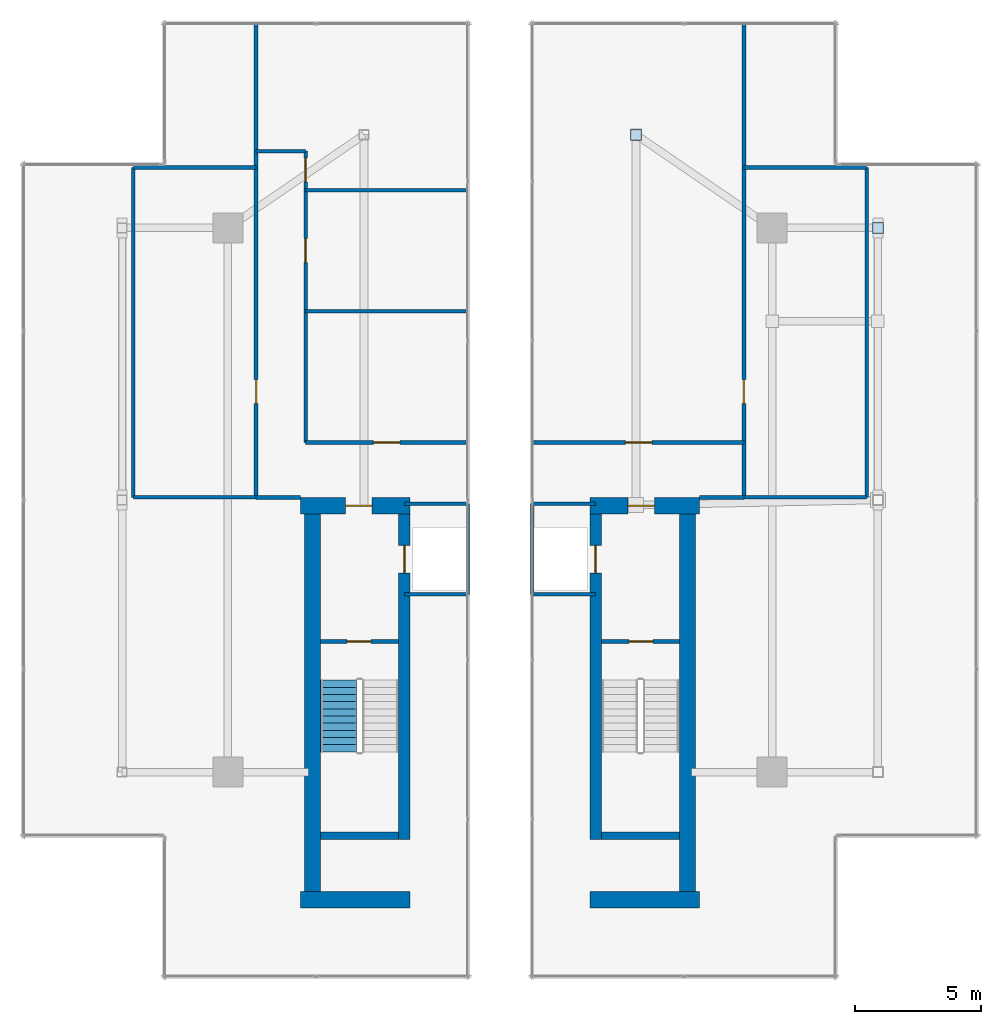
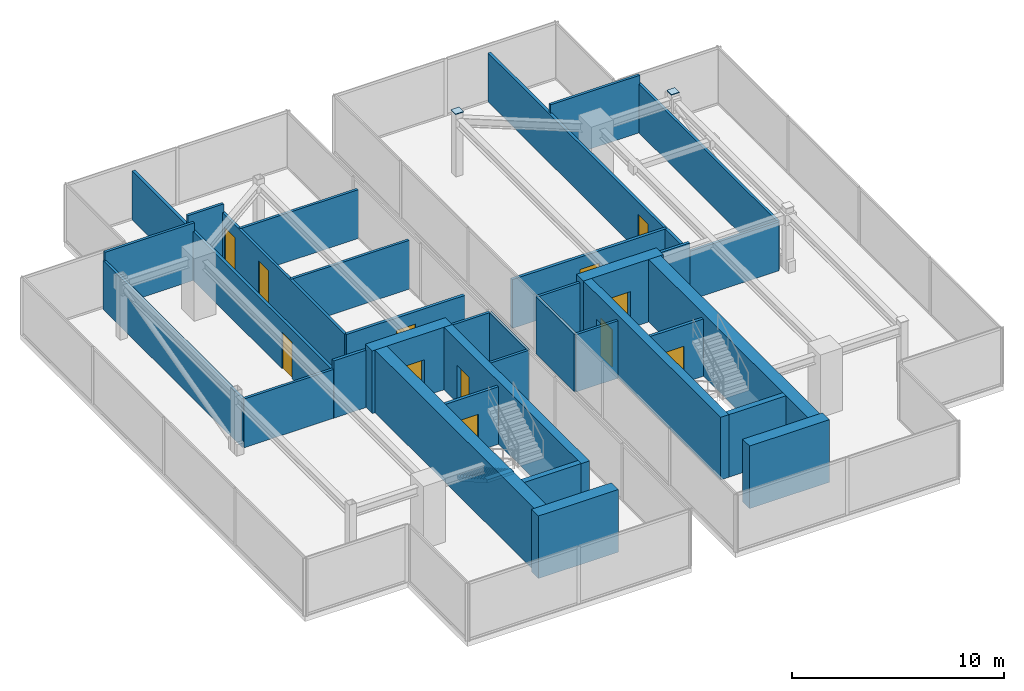
# One storey, part 23 of 25: 34 walls, 12 doors, 2 plates, 1 stair flight, 12 openings, 1 element without a shape of its own.
"""IFC4 building model written with IfcOpenShell, lengths in metres."""

from ifc_helpers import new_model, si_unit, direction, frame, frame_2d, origin, place, context, subcontext, project, spatial, polyline, rectangle, outline, extrude, material, layer, layer_set, type_object, element, fill, aggregate, save


model = new_model("IFC4")

# Units and contexts
model_context = context("Model", 3, precision=1e-05, world=origin(), true_north=direction((0.0, 1.0)))
body_context = subcontext(model_context, "Body", "Model", "MODEL_VIEW")
ifc_project = project(units=[si_unit("LENGTHUNIT", "METRE"), si_unit("AREAUNIT", "SQUARE_METRE"), si_unit("VOLUMEUNIT", "CUBIC_METRE"), si_unit("PLANEANGLEUNIT", "RADIAN"), si_unit("MASSUNIT", "GRAM", prefix="KILO")], contexts=[model_context])

# Site, building, storey
site_placement = place(None, origin())
site = spatial("IfcSite", under=ifc_project, at=site_placement, CompositionType="ELEMENT")
building_placement = place(site_placement, origin())
building = spatial("IfcBuilding", under=site, at=building_placement, Name="Krantzveldt Concourse Tower", CompositionType="ELEMENT")
storey_placement = place(building_placement, frame((0.0, 0.0, 374.64990234375)))
storey = spatial("IfcBuildingStorey", under=building, at=storey_placement, Name="L92", CompositionType="ELEMENT", Elevation=374.64990234375)

# Plates
ifc_material_1 = material(Name="Steel S355J2", Category="steel")
ifc_layer_1 = layer(ifc_material_1, 0.0400390625, Name="Steel S355J2", Category="steel")
ifc_layer_set_1 = layer_set([ifc_layer_1], Name="Steel S355J2 (PL-COLCAP-40)")
plate_type = type_object("IfcPlateType", Name="PL-COLCAP-40", PredefinedType="USERDEFINED", material=ifc_layer_set_1)
plate_1_placement = place(storey_placement, frame((0.0, 0.0, 3.59521484375)))
element("IfcPlate", 1, at=plate_1_placement, inside=storey, type_object=plate_type, Name="L92 Column Top Cap Plate E3", ObjectType="END PLATE", PredefinedType="USERDEFINED", context=body_context, shape_type="SweptSolid", body=[
    extrude(outline(polyline([(50.780029296875, 37.280029296875), (51.219970703125, 37.280029296875), (51.219970703125, 37.719970703125), (50.780029296875, 37.719970703125), (50.780029296875, 37.280029296875)])), origin(), (0.0, 0.0, 1.0), 0.039794921875),
])
plate_2_placement = place(storey_placement, frame((0.0, 0.0, 3.59521484375)))
element("IfcPlate", 2, at=plate_2_placement, inside=storey, type_object=plate_type, Name="L92 Column Top Cap Plate E4", ObjectType="END PLATE", PredefinedType="USERDEFINED", context=body_context, shape_type="SweptSolid", body=[
    extrude(outline(polyline([(41.179931640625, 40.97998046875), (41.6201171875, 40.97998046875), (41.6201171875, 41.419921875), (41.179931640625, 41.419921875), (41.179931640625, 40.97998046875)])), origin(), (0.0, 0.0, 1.0), 0.039794921875),
])

# Walls
ifc_material_2 = material(Name="Fire-rated gypsum plasterboard on steel stud", Category="steel")
ifc_layer_2 = layer(ifc_material_2, 0.139892578125, Name="Fire-rated gypsum plasterboard on steel stud", Category="steel")
ifc_layer_set_2 = layer_set([ifc_layer_2], Name="Fire-rated gypsum plasterboard on steel stud (WL-PART-FR140)")
wall_type_1 = type_object("IfcWallType", Name="WL-PART-FR140", PredefinedType="PARTITIONING", material=ifc_layer_set_2)
wall_1_placement = place(storey_placement, frame((34.719970703125, 22.949951171875, 0.0), z_axis=(0.0, 0.0, 1.0), x_axis=(0.0, 1.0, 0.0)))
element("IfcWall", 3, at=wall_1_placement, inside=storey, type_object=wall_type_1, Name="WP-L92-FL1E", PredefinedType="PARTITIONING", context=body_context, shape_type="SweptSolid", body=[
    extrude(rectangle(XDim=3.60009765625, YDim=0.139892578125, at=frame_2d((1.800048828125, 0.0))), origin(), (0.0, 0.0, 1.0), 3.300048828125),
])
for number, where, z_axis, x_axis, name in (
    (4, (32.2099609375, 22.949951171875, 0.0), (0.0, 0.0, 1.0), (1.0, 0.0, 0.0), "WP-L92-FL1S"),
    (5, (32.2099609375, 26.550048828125, 0.0), (0.0, 0.0, 1.0), (1.0, 0.0, 0.0), "WP-L92-FL1N"),
):
    element("IfcWall", number, at=place(storey_placement, frame(where, z_axis=z_axis, x_axis=x_axis)), inside=storey, type_object=wall_type_1, Name=name, PredefinedType="PARTITIONING", context=body_context, shape_type="SweptSolid", body=[
        extrude(rectangle(XDim=2.510009765625, YDim=0.139892578125, at=frame_2d((1.2548828125, 0.0))), origin(), (0.0, 0.0, 1.0), 3.300048828125),
    ])
wall_2_placement = place(storey_placement, frame((37.280029296875, 22.949951171875, 0.0), z_axis=(0.0, 0.0, 1.0), x_axis=(0.0, 1.0, 0.0)))
element("IfcWall", 6, at=wall_2_placement, inside=storey, type_object=wall_type_1, Name="WP-L92-FL2W", PredefinedType="PARTITIONING", context=body_context, shape_type="SweptSolid", body=[
    extrude(rectangle(XDim=3.60009765625, YDim=0.139892578125, at=frame_2d((1.800048828125, 0.0))), origin(), (0.0, 0.0, 1.0), 3.300048828125),
])
for number, where, z_axis, x_axis, name in (
    (7, (37.280029296875, 22.949951171875, 0.0), (0.0, 0.0, 1.0), (1.0, 0.0, 0.0), "WP-L92-FL2S"),
    (8, (37.280029296875, 26.550048828125, 0.0), (0.0, 0.0, 1.0), (1.0, 0.0, 0.0), "WP-L92-FL2N"),
):
    element("IfcWall", number, at=place(storey_placement, frame(where, z_axis=z_axis, x_axis=x_axis)), inside=storey, type_object=wall_type_1, Name=name, PredefinedType="PARTITIONING", context=body_context, shape_type="SweptSolid", body=[
        extrude(rectangle(XDim=2.510009765625, YDim=0.139892578125, at=frame_2d((1.2548828125, 0.0))), origin(), (0.0, 0.0, 1.0), 3.300048828125),
    ])
wall_3_placement = place(storey_placement, frame((21.449951171875, 26.800048828125, 0.0), z_axis=(0.0, 0.0, 1.0), x_axis=(0.0, 1.0, 0.0)))
element("IfcWall", 9, at=wall_3_placement, inside=storey, type_object=wall_type_1, Name="WP-L92-CWW", PredefinedType="PARTITIONING", context=body_context, shape_type="SweptSolid", body=[
    extrude(rectangle(XDim=13.099853515625, YDim=0.139892578125, at=frame_2d((6.5498046875, 0.0))), origin(), (0.0, 0.0, 1.0), 2.81005859375),
])
wall_4_placement = place(storey_placement, frame((21.449951171875, 26.800048828125, 0.0), z_axis=(0.0, 0.0, 1.0), x_axis=(1.0, 0.0, 0.0)))
element("IfcWall", 10, at=wall_4_placement, inside=storey, type_object=wall_type_1, Name="WP-L92-CWS", PredefinedType="PARTITIONING", context=body_context, shape_type="SweptSolid", body=[
    extrude(rectangle(XDim=4.8701171875, YDim=0.139892578125, at=frame_2d((2.43505859375, 0.0))), origin(), (0.0, 0.0, 1.0), 2.81005859375),
])
wall_5_placement = place(storey_placement, frame((21.449951171875, 39.89990234375, 0.0), z_axis=(0.0, 0.0, 1.0), x_axis=(1.0, 0.0, 0.0)))
element("IfcWall", 11, at=wall_5_placement, inside=storey, type_object=wall_type_1, Name="WP-L92-CWTOP", PredefinedType="PARTITIONING", context=body_context, shape_type="SweptSolid", body=[
    extrude(rectangle(XDim=4.8701171875, YDim=0.139892578125, at=frame_2d((2.43505859375, 0.0))), origin(), (0.0, 0.0, 1.0), 3.300048828125),
])

# Wall, openings, doors
wall_6_placement = place(storey_placement, frame((28.280029296875, 28.97998046875, 0.0), z_axis=(0.0, 0.0, 1.0), x_axis=(0.0, 1.0, 0.0)))
wall_6 = element("IfcWall", 12, at=wall_6_placement, inside=storey, type_object=wall_type_1, Name="WP-L92-CNKR", PredefinedType="PARTITIONING", context=body_context, shape_type="SweptSolid", body=[
    extrude(rectangle(XDim=11.570068359375, YDim=0.139892578125, at=frame_2d((5.78515625, 0.0))), origin(), (0.0, 0.0, 1.0), 2.81005859375),
])
opening_1_placement = place(wall_6_placement, frame((7.14501953125, 0.0, 0.0)))
opening_1 = element("IfcOpeningElement", 13, at=opening_1_placement, cuts=wall_6, Name="Opening D-FD695", PredefinedType="OPENING", context=body_context, shape_type="SweptSolid", body=[
    extrude(rectangle(XDim=0.949951171875, YDim=2.10009765625, at=frame_2d((0.47509765625, 1.050048828125))), frame((0.0, 0.080078125, 0.0), z_axis=(0.0, -1.0, 0.0), x_axis=(1.0, 0.0, 0.0)), (0.0, 0.0, 1.0), 0.159912109375),
])
opening_2_placement = place(wall_6_placement, frame((10.344970703125, 0.0, 0.0)))
opening_2 = element("IfcOpeningElement", 14, at=opening_2_placement, cuts=wall_6, Name="Opening D-FD695", PredefinedType="OPENING", context=body_context, shape_type="SweptSolid", body=[
    extrude(rectangle(XDim=0.949951171875, YDim=2.10009765625, at=frame_2d((0.47509765625, 1.050048828125))), frame((0.0, 0.080078125, 0.0), z_axis=(0.0, -1.0, 0.0), x_axis=(1.0, 0.0, 0.0)), (0.0, 0.0, 1.0), 0.159912109375),
])
ifc_material_3 = material(Name="Hardwood timber", Category="wood")
door_type_1 = type_object("IfcDoorType", Name="DR-FD60-950", OperationType="SINGLE_SWING_LEFT", PredefinedType="DOOR", material=ifc_material_3)
door_1_placement = place(opening_1_placement, origin())
door_1 = element("IfcDoor", 15, at=door_1_placement, inside=storey, type_object=door_type_1, Name="DR-L92-PLT2", OperationType="SINGLE_SWING_RIGHT", OverallHeight=2.10009765625, OverallWidth=0.949951171875, PredefinedType="DOOR", context=body_context, shape_type="SweptSolid", body=[
    extrude(rectangle(XDim=0.949951171875, YDim=2.10009765625, at=frame_2d((0.47509765625, 1.050048828125))), frame((0.0, 0.02490234375, 0.0), z_axis=(0.0, -1.0, 0.0), x_axis=(1.0, 0.0, 0.0)), (0.0, 0.0, 1.0), 0.050048828125),
])
fill(opening_1, door_1)
door_2_placement = place(opening_2_placement, origin())
door_2 = element("IfcDoor", 16, at=door_2_placement, inside=storey, type_object=door_type_1, Name="DR-L92-PLT3", OperationType="SINGLE_SWING_LEFT", OverallHeight=2.10009765625, OverallWidth=0.949951171875, PredefinedType="DOOR", context=body_context, shape_type="SweptSolid", body=[
    extrude(rectangle(XDim=0.949951171875, YDim=2.10009765625, at=frame_2d((0.47509765625, 1.050048828125))), frame((0.0, 0.02490234375, 0.0), z_axis=(0.0, -1.0, 0.0), x_axis=(1.0, 0.0, 0.0)), (0.0, 0.0, 1.0), 0.050048828125),
])
fill(opening_2, door_2)

# Walls
for number, where, z_axis, x_axis, name in (
    (17, (28.280029296875, 34.199951171875, 0.0), (0.0, 0.0, 1.0), (1.0, 0.0, 0.0), "WP-L92-CDV1"),
    (18, (28.280029296875, 39.0, 0.0), (0.0, 0.0, 1.0), (1.0, 0.0, 0.0), "WP-L92-CDV2"),
):
    element("IfcWall", number, at=place(storey_placement, frame(where, z_axis=z_axis, x_axis=x_axis)), inside=storey, type_object=wall_type_1, Name=name, PredefinedType="PARTITIONING", context=body_context, shape_type="SweptSolid", body=[
        extrude(rectangle(XDim=6.429931640625, YDim=0.139892578125, at=frame_2d((3.21484375, 0.0))), origin(), (0.0, 0.0, 1.0), 2.81005859375),
    ])
wall_7_placement = place(storey_placement, frame((26.320068359375, 40.550048828125, 0.0), z_axis=(0.0, 0.0, 1.0), x_axis=(1.0, 0.0, 0.0)))
element("IfcWall", 19, at=wall_7_placement, inside=storey, type_object=wall_type_1, Name="WP-L92-CNKT", PredefinedType="PARTITIONING", context=body_context, shape_type="SweptSolid", body=[
    extrude(rectangle(XDim=1.9599609375, YDim=0.139892578125, at=frame_2d((0.97998046875, 0.0))), origin(), (0.0, 0.0, 1.0), 3.300048828125),
])
wall_8_placement = place(storey_placement, frame((50.550048828125, 26.800048828125, 0.0), z_axis=(0.0, 0.0, 1.0), x_axis=(0.0, 1.0, 0.0)))
element("IfcWall", 20, at=wall_8_placement, inside=storey, type_object=wall_type_1, Name="WP-L92-EEE", PredefinedType="PARTITIONING", context=body_context, shape_type="SweptSolid", body=[
    extrude(rectangle(XDim=13.099853515625, YDim=0.139892578125, at=frame_2d((6.5498046875, 0.0))), origin(), (0.0, 0.0, 1.0), 2.81005859375),
])
wall_9_placement = place(storey_placement, frame((45.679931640625, 26.800048828125, 0.0), z_axis=(0.0, 0.0, 1.0), x_axis=(1.0, 0.0, 0.0)))
element("IfcWall", 21, at=wall_9_placement, inside=storey, type_object=wall_type_1, Name="WP-L92-EES", PredefinedType="PARTITIONING", context=body_context, shape_type="SweptSolid", body=[
    extrude(rectangle(XDim=4.8701171875, YDim=0.139892578125, at=frame_2d((2.43505859375, 0.0))), origin(), (0.0, 0.0, 1.0), 2.81005859375),
])
wall_10_placement = place(storey_placement, frame((45.679931640625, 39.89990234375, 0.0), z_axis=(0.0, 0.0, 1.0), x_axis=(1.0, 0.0, 0.0)))
element("IfcWall", 22, at=wall_10_placement, inside=storey, type_object=wall_type_1, Name="WP-L92-ETP", PredefinedType="PARTITIONING", context=body_context, shape_type="SweptSolid", body=[
    extrude(rectangle(XDim=4.8701171875, YDim=0.139892578125, at=frame_2d((2.43505859375, 0.0))), origin(), (0.0, 0.0, 1.0), 3.300048828125),
])

# Wall, opening, door
ifc_layer_3 = layer(ifc_material_2, 0.159912109375, Name="Fire-rated gypsum plasterboard on steel stud", Category="steel")
ifc_layer_set_3 = layer_set([ifc_layer_3], Name="Fire-rated gypsum plasterboard on steel stud (WL-PART-FR160)")
wall_type_2 = type_object("IfcWallType", Name="WL-PART-FR160", PredefinedType="PARTITIONING", material=ifc_layer_set_3)
wall_11_placement = place(storey_placement, frame((28.8798828125, 21.080078125, 0.0), z_axis=(0.0, 0.0, 1.0), x_axis=(1.0, 0.0, 0.0)))
wall_11 = element("IfcWall", 23, at=wall_11_placement, inside=storey, type_object=wall_type_2, Name="WP-L92-ST1", PredefinedType="PARTITIONING", context=body_context, shape_type="SweptSolid", body=[
    extrude(rectangle(XDim=3.10009765625, YDim=0.159912109375, at=frame_2d((1.550048828125, 0.0))), origin(), (0.0, 0.0, 1.0), 3.300048828125),
])
opening_3_placement = place(wall_11_placement, frame((1.044921875, 0.0, 0.0)))
opening_3 = element("IfcOpeningElement", 24, at=opening_3_placement, cuts=wall_11, Name="Opening D-FD095", PredefinedType="OPENING", context=body_context, shape_type="SweptSolid", body=[
    extrude(rectangle(XDim=0.949951171875, YDim=2.10009765625, at=frame_2d((0.47509765625, 1.050048828125))), frame((0.0, 0.08984375, 0.0), z_axis=(0.0, -1.0, 0.0), x_axis=(1.0, 0.0, 0.0)), (0.0, 0.0, 1.0), 0.179931640625),
])
ifc_material_4 = material(Name="Galvanised steel", Category="steel")
door_type_2 = type_object("IfcDoorType", Name="DR-FD120-950", OperationType="SINGLE_SWING_LEFT", PredefinedType="DOOR", material=ifc_material_4)
door_3_placement = place(opening_3_placement, origin())
door_3 = element("IfcDoor", 25, at=door_3_placement, inside=storey, type_object=door_type_2, Name="DR-L92-ST1", OperationType="SINGLE_SWING_RIGHT", OverallHeight=2.10009765625, OverallWidth=0.949951171875, PredefinedType="DOOR", context=body_context, shape_type="SweptSolid", body=[
    extrude(rectangle(XDim=0.949951171875, YDim=2.10009765625, at=frame_2d((0.47509765625, 1.050048828125))), frame((0.0, 0.02490234375, 0.0), z_axis=(0.0, -1.0, 0.0), x_axis=(1.0, 0.0, 0.0)), (0.0, 0.0, 1.0), 0.050048828125),
])
fill(opening_3, door_3)

wall_12_placement = place(storey_placement, frame((40.02001953125, 21.080078125, 0.0), z_axis=(0.0, 0.0, 1.0), x_axis=(1.0, 0.0, 0.0)))
wall_12 = element("IfcWall", 26, at=wall_12_placement, inside=storey, type_object=wall_type_2, Name="WP-L92-ST2", PredefinedType="PARTITIONING", context=body_context, shape_type="SweptSolid", body=[
    extrude(rectangle(XDim=3.10009765625, YDim=0.159912109375, at=frame_2d((1.550048828125, 0.0))), origin(), (0.0, 0.0, 1.0), 3.300048828125),
])
opening_4_placement = place(wall_12_placement, frame((1.10498046875, 0.0, 0.0)))
opening_4 = element("IfcOpeningElement", 27, at=opening_4_placement, cuts=wall_12, Name="Opening D-FD095", PredefinedType="OPENING", context=body_context, shape_type="SweptSolid", body=[
    extrude(rectangle(XDim=0.949951171875, YDim=2.10009765625, at=frame_2d((0.47509765625, 1.050048828125))), frame((0.0, 0.08984375, 0.0), z_axis=(0.0, -1.0, 0.0), x_axis=(1.0, 0.0, 0.0)), (0.0, 0.0, 1.0), 0.179931640625),
])
door_4_placement = place(opening_4_placement, origin())
door_4 = element("IfcDoor", 28, at=door_4_placement, inside=storey, type_object=door_type_2, Name="DR-L92-ST2", OperationType="SINGLE_SWING_LEFT", OverallHeight=2.10009765625, OverallWidth=0.949951171875, PredefinedType="DOOR", context=body_context, shape_type="SweptSolid", body=[
    extrude(rectangle(XDim=0.949951171875, YDim=2.10009765625, at=frame_2d((0.47509765625, 1.050048828125))), frame((0.0, 0.02490234375, 0.0), z_axis=(0.0, -1.0, 0.0), x_axis=(1.0, 0.0, 0.0)), (0.0, 0.0, 1.0), 0.050048828125),
])
fill(opening_4, door_4)

wall_13_placement = place(storey_placement, frame((28.280029296875, 28.97998046875, 0.0), z_axis=(0.0, 0.0, 1.0), x_axis=(1.0, 0.0, 0.0)))
wall_13 = element("IfcWall", 29, at=wall_13_placement, inside=storey, type_object=wall_type_2, Name="WP-L92-CN1R", PredefinedType="PARTITIONING", context=body_context, shape_type="SweptSolid", body=[
    extrude(rectangle(XDim=6.429931640625, YDim=0.159912109375, at=frame_2d((3.21484375, 0.0))), origin(), (0.0, 0.0, 1.0), 2.81005859375),
])
opening_5_placement = place(wall_13_placement, frame((2.695068359375, 0.0, 0.0)))
opening_5 = element("IfcOpeningElement", 30, at=opening_5_placement, cuts=wall_13, Name="Opening D-FD105", PredefinedType="OPENING", context=body_context, shape_type="SweptSolid", body=[
    extrude(rectangle(XDim=1.050048828125, YDim=2.10009765625, at=frame_2d((0.52490234375, 1.050048828125))), frame((0.0, 0.08984375, 0.0), z_axis=(0.0, -1.0, 0.0), x_axis=(1.0, 0.0, 0.0)), (0.0, 0.0, 1.0), 0.179931640625),
])
door_type_3 = type_object("IfcDoorType", Name="DR-FD120-1050", OperationType="SINGLE_SWING_LEFT", PredefinedType="DOOR", material=ifc_material_4)
door_5_placement = place(opening_5_placement, origin())
door_5 = element("IfcDoor", 31, at=door_5_placement, inside=storey, type_object=door_type_3, Name="DR-L92-PLT1", OperationType="SINGLE_SWING_LEFT", OverallHeight=2.10009765625, OverallWidth=1.050048828125, PredefinedType="DOOR", context=body_context, shape_type="SweptSolid", body=[
    extrude(rectangle(XDim=1.050048828125, YDim=2.10009765625, at=frame_2d((0.52490234375, 1.050048828125))), frame((0.0, 0.02490234375, 0.0), z_axis=(0.0, -1.0, 0.0), x_axis=(1.0, 0.0, 0.0)), (0.0, 0.0, 1.0), 0.050048828125),
])
fill(opening_5, door_5)

# Wall
wall_14_placement = place(storey_placement, frame((26.320068359375, 26.800048828125, 0.0), z_axis=(0.0, 0.0, 1.0), x_axis=(1.0, 0.0, 0.0)))
element("IfcWall", 32, at=wall_14_placement, inside=storey, type_object=wall_type_2, Name="WP-L92-CS1", PredefinedType="PARTITIONING", context=body_context, shape_type="SweptSolid", body=[
    extrude(rectangle(XDim=1.760009765625, YDim=0.159912109375, at=frame_2d((0.8798828125, 0.0))), origin(), (0.0, 0.0, 1.0), 3.300048828125),
])

# Wall, opening, door
wall_15_placement = place(storey_placement, frame((26.320068359375, 26.800048828125, 0.0), z_axis=(0.0, 0.0, 1.0), x_axis=(0.0, 1.0, 0.0)))
wall_15 = element("IfcWall", 33, at=wall_15_placement, inside=storey, type_object=wall_type_2, Name="WP-L92-CWL", PredefinedType="PARTITIONING", context=body_context, shape_type="SweptSolid", body=[
    extrude(rectangle(XDim=18.81005859375, YDim=0.159912109375, at=frame_2d((9.405029296875, 0.0))), origin(), (0.0, 0.0, 1.0), 2.81005859375),
])
opening_6_placement = place(wall_15_placement, frame((3.72509765625, 0.0, 0.0)))
opening_6 = element("IfcOpeningElement", 34, at=opening_6_placement, cuts=wall_15, Name="Opening D-FD695", PredefinedType="OPENING", context=body_context, shape_type="SweptSolid", body=[
    extrude(rectangle(XDim=0.949951171875, YDim=2.10009765625, at=frame_2d((0.47509765625, 1.050048828125))), frame((0.0, 0.08984375, 0.0), z_axis=(0.0, -1.0, 0.0), x_axis=(1.0, 0.0, 0.0)), (0.0, 0.0, 1.0), 0.179931640625),
])
door_6_placement = place(opening_6_placement, origin())
door_6 = element("IfcDoor", 35, at=door_6_placement, inside=storey, type_object=door_type_1, Name="DR-L92-PLT4", OperationType="SINGLE_SWING_LEFT", OverallHeight=2.10009765625, OverallWidth=0.949951171875, PredefinedType="DOOR", context=body_context, shape_type="SweptSolid", body=[
    extrude(rectangle(XDim=0.949951171875, YDim=2.10009765625, at=frame_2d((0.47509765625, 1.050048828125))), frame((0.0, 0.02490234375, 0.0), z_axis=(0.0, -1.0, 0.0), x_axis=(1.0, 0.0, 0.0)), (0.0, 0.0, 1.0), 0.050048828125),
])
fill(opening_6, door_6)

wall_16_placement = place(storey_placement, frame((37.2900390625, 28.97998046875, 0.0), z_axis=(0.0, 0.0, 1.0), x_axis=(1.0, 0.0, 0.0)))
wall_16 = element("IfcWall", 36, at=wall_16_placement, inside=storey, type_object=wall_type_2, Name="WP-L92-EN1", PredefinedType="PARTITIONING", context=body_context, shape_type="SweptSolid", body=[
    extrude(rectangle(XDim=8.389892578125, YDim=0.159912109375, at=frame_2d((4.19482421875, 0.0))), origin(), (0.0, 0.0, 1.0), 2.81005859375),
])
opening_7_placement = place(wall_16_placement, frame((3.68505859375, 0.0, 0.0)))
opening_7 = element("IfcOpeningElement", 37, at=opening_7_placement, cuts=wall_16, Name="Opening D-FD105", PredefinedType="OPENING", context=body_context, shape_type="SweptSolid", body=[
    extrude(rectangle(XDim=1.050048828125, YDim=2.10009765625, at=frame_2d((0.52490234375, 1.050048828125))), frame((0.0, 0.08984375, 0.0), z_axis=(0.0, -1.0, 0.0), x_axis=(1.0, 0.0, 0.0)), (0.0, 0.0, 1.0), 0.179931640625),
])
door_7_placement = place(opening_7_placement, origin())
door_7 = element("IfcDoor", 38, at=door_7_placement, inside=storey, type_object=door_type_3, Name="DR-L92-EPLT1", OperationType="SINGLE_SWING_RIGHT", OverallHeight=2.10009765625, OverallWidth=1.050048828125, PredefinedType="DOOR", context=body_context, shape_type="SweptSolid", body=[
    extrude(rectangle(XDim=1.050048828125, YDim=2.10009765625, at=frame_2d((0.52490234375, 1.050048828125))), frame((0.0, 0.02490234375, 0.0), z_axis=(0.0, -1.0, 0.0), x_axis=(1.0, 0.0, 0.0)), (0.0, 0.0, 1.0), 0.050048828125),
])
fill(opening_7, door_7)

# Wall
wall_17_placement = place(storey_placement, frame((43.919921875, 26.800048828125, 0.0), z_axis=(0.0, 0.0, 1.0), x_axis=(1.0, 0.0, 0.0)))
element("IfcWall", 39, at=wall_17_placement, inside=storey, type_object=wall_type_2, Name="WP-L92-ES1", PredefinedType="PARTITIONING", context=body_context, shape_type="SweptSolid", body=[
    extrude(rectangle(XDim=1.760009765625, YDim=0.159912109375, at=frame_2d((0.8798828125, 0.0))), origin(), (0.0, 0.0, 1.0), 3.300048828125),
])

# Wall, opening, door
wall_18_placement = place(storey_placement, frame((45.679931640625, 26.800048828125, 0.0), z_axis=(0.0, 0.0, 1.0), x_axis=(0.0, 1.0, 0.0)))
wall_18 = element("IfcWall", 40, at=wall_18_placement, inside=storey, type_object=wall_type_2, Name="WP-L92-EER", PredefinedType="PARTITIONING", context=body_context, shape_type="SweptSolid", body=[
    extrude(rectangle(XDim=18.81005859375, YDim=0.159912109375, at=frame_2d((9.405029296875, 0.0))), origin(), (0.0, 0.0, 1.0), 2.81005859375),
])
opening_8_placement = place(wall_18_placement, frame((3.72509765625, 0.0, 0.0)))
opening_8 = element("IfcOpeningElement", 41, at=opening_8_placement, cuts=wall_18, Name="Opening D-FD695", PredefinedType="OPENING", context=body_context, shape_type="SweptSolid", body=[
    extrude(rectangle(XDim=0.949951171875, YDim=2.10009765625, at=frame_2d((0.47509765625, 1.050048828125))), frame((0.0, 0.08984375, 0.0), z_axis=(0.0, -1.0, 0.0), x_axis=(1.0, 0.0, 0.0)), (0.0, 0.0, 1.0), 0.179931640625),
])
door_8_placement = place(opening_8_placement, origin())
door_8 = element("IfcDoor", 42, at=door_8_placement, inside=storey, type_object=door_type_1, Name="DR-L92-EPLT2", OperationType="SINGLE_SWING_RIGHT", OverallHeight=2.10009765625, OverallWidth=0.949951171875, PredefinedType="DOOR", context=body_context, shape_type="SweptSolid", body=[
    extrude(rectangle(XDim=0.949951171875, YDim=2.10009765625, at=frame_2d((0.47509765625, 1.050048828125))), frame((0.0, 0.02490234375, 0.0), z_axis=(0.0, -1.0, 0.0), x_axis=(1.0, 0.0, 0.0)), (0.0, 0.0, 1.0), 0.050048828125),
])
fill(opening_8, door_8)

# Walls
ifc_material_5 = material(Name="Concrete C50/60", Category="concrete")
ifc_layer_4 = layer(ifc_material_5, 0.300048828125, Name="Concrete C50/60", Category="concrete")
ifc_layer_set_4 = layer_set([ifc_layer_4], Name="Concrete C50/60 (WL-SHEAR-300)")
wall_type_3 = type_object("IfcWallType", Name="WL-SHEAR-300", PredefinedType="SHEAR", material=ifc_layer_set_4)
for number, where, z_axis, x_axis, name in (
    (43, (28.8798828125, 13.3701171875, 0.0), (0.0, 0.0, 1.0), (1.0, 0.0, 0.0), "CW-L92-ST1S"),
    (44, (40.02001953125, 13.3701171875, 0.0), (0.0, 0.0, 1.0), (1.0, 0.0, 0.0), "CW-L92-ST2S"),
):
    element("IfcWall", number, at=place(storey_placement, frame(where, z_axis=z_axis, x_axis=x_axis)), inside=storey, type_object=wall_type_3, Name=name, PredefinedType="SHEAR", context=body_context, shape_type="SweptSolid", body=[
        extrude(rectangle(XDim=3.10009765625, YDim=0.300048828125, at=frame_2d((1.550048828125, 0.0))), origin(), (0.0, 0.0, 1.0), 3.60009765625),
    ])

# Wall, opening, door
ifc_layer_5 = layer(ifc_material_5, 0.449951171875, Name="Concrete C50/60", Category="concrete")
ifc_layer_set_5 = layer_set([ifc_layer_5], Name="Concrete C50/60 (WL-SHEAR-450)")
wall_type_4 = type_object("IfcWallType", Name="WL-SHEAR-450", PredefinedType="SHEAR", material=ifc_layer_set_5)
wall_19_placement = place(storey_placement, frame((32.205078125, 13.219970703125, 0.0), z_axis=(0.0, 0.0, 1.0), x_axis=(0.0, 1.0, 0.0)))
wall_19 = element("IfcWall", 45, at=wall_19_placement, inside=storey, type_object=wall_type_4, Name="CW-L92-WC-E", PredefinedType="SHEAR", context=body_context, shape_type="SweptSolid", body=[
    extrude(rectangle(XDim=12.929931640625, YDim=0.449951171875, at=frame_2d((6.46484375, 0.0))), origin(), (0.0, 0.0, 1.0), 3.60009765625),
])
opening_9_placement = place(wall_19_placement, frame((10.580078125, 0.0, 0.0)))
opening_9 = element("IfcOpeningElement", 46, at=opening_9_placement, cuts=wall_19, Name="Opening LD", PredefinedType="OPENING", context=body_context, shape_type="SweptSolid", body=[
    extrude(rectangle(XDim=1.10009765625, YDim=2.14990234375, at=frame_2d((0.550048828125, 1.074951171875))), frame((0.0, 0.23486328125, 0.0), z_axis=(0.0, -1.0, 0.0), x_axis=(1.0, 0.0, 0.0)), (0.0, 0.0, 1.0), 0.469970703125),
])
ifc_material_6 = material(Name="Stainless steel 316L", Category="steel")
door_type_4 = type_object("IfcDoorType", Name="DR-SLIDE-LD1100", OperationType="DOUBLE_DOOR_SLIDING", PredefinedType="DOOR", material=ifc_material_6)
door_9_placement = place(opening_9_placement, origin())
door_9 = element("IfcDoor", 47, at=door_9_placement, inside=storey, type_object=door_type_4, Name="LD-L92-FL1", OperationType="DOUBLE_DOOR_SLIDING", OverallHeight=2.14990234375, OverallWidth=1.10009765625, PredefinedType="DOOR", context=body_context, shape_type="SweptSolid", body=[
    extrude(rectangle(XDim=1.10009765625, YDim=2.14990234375, at=frame_2d((0.550048828125, 1.074951171875))), frame((0.0, 0.02490234375, 0.0), z_axis=(0.0, -1.0, 0.0), x_axis=(1.0, 0.0, 0.0)), (0.0, 0.0, 1.0), 0.050048828125),
])
fill(opening_9, door_9)

wall_20_placement = place(storey_placement, frame((39.794921875, 13.219970703125, 0.0), z_axis=(0.0, 0.0, 1.0), x_axis=(0.0, 1.0, 0.0)))
wall_20 = element("IfcWall", 48, at=wall_20_placement, inside=storey, type_object=wall_type_4, Name="CW-L92-EC-W", PredefinedType="SHEAR", context=body_context, shape_type="SweptSolid", body=[
    extrude(rectangle(XDim=12.929931640625, YDim=0.449951171875, at=frame_2d((6.46484375, 0.0))), origin(), (0.0, 0.0, 1.0), 3.60009765625),
])
opening_10_placement = place(wall_20_placement, frame((10.580078125, 0.0, 0.0)))
opening_10 = element("IfcOpeningElement", 49, at=opening_10_placement, cuts=wall_20, Name="Opening LD", PredefinedType="OPENING", context=body_context, shape_type="SweptSolid", body=[
    extrude(rectangle(XDim=1.10009765625, YDim=2.14990234375, at=frame_2d((0.550048828125, 1.074951171875))), frame((0.0, 0.23486328125, 0.0), z_axis=(0.0, -1.0, 0.0), x_axis=(1.0, 0.0, 0.0)), (0.0, 0.0, 1.0), 0.469970703125),
])
door_10_placement = place(opening_10_placement, origin())
door_10 = element("IfcDoor", 50, at=door_10_placement, inside=storey, type_object=door_type_4, Name="LD-L92-FL2", OperationType="DOUBLE_DOOR_SLIDING", OverallHeight=2.14990234375, OverallWidth=1.10009765625, PredefinedType="DOOR", context=body_context, shape_type="SweptSolid", body=[
    extrude(rectangle(XDim=1.10009765625, YDim=2.14990234375, at=frame_2d((0.550048828125, 1.074951171875))), frame((0.0, 0.02490234375, 0.0), z_axis=(0.0, -1.0, 0.0), x_axis=(1.0, 0.0, 0.0)), (0.0, 0.0, 1.0), 0.050048828125),
])
fill(opening_10, door_10)

# Wall
ifc_layer_6 = layer(ifc_material_5, 0.64990234375, Name="Concrete C50/60", Category="concrete")
ifc_layer_set_6 = layer_set([ifc_layer_6], Name="Concrete C50/60 (WL-SHEAR-650)")
wall_type_5 = type_object("IfcWallType", Name="WL-SHEAR-650", PredefinedType="SHEAR", material=ifc_layer_set_6)
wall_21_placement = place(storey_placement, frame((28.080078125, 10.824951171875, 0.0), z_axis=(0.0, 0.0, 1.0), x_axis=(1.0, 0.0, 0.0)))
element("IfcWall", 51, at=wall_21_placement, inside=storey, type_object=wall_type_5, Name="CW-L92-WC-S", PredefinedType="SHEAR", context=body_context, shape_type="SweptSolid", body=[
    extrude(rectangle(XDim=4.349853515625, YDim=0.64990234375, at=frame_2d((2.1748046875, 0.0))), origin(), (0.0, 0.0, 1.0), 3.60009765625),
])

# Wall, opening, door
wall_22_placement = place(storey_placement, frame((28.080078125, 26.47509765625, 0.0), z_axis=(0.0, 0.0, 1.0), x_axis=(1.0, 0.0, 0.0)))
wall_22 = element("IfcWall", 52, at=wall_22_placement, inside=storey, type_object=wall_type_5, Name="CW-L92-WC-N", PredefinedType="SHEAR", context=body_context, shape_type="SweptSolid", body=[
    extrude(rectangle(XDim=4.349853515625, YDim=0.64990234375, at=frame_2d((2.1748046875, 0.0))), origin(), (0.0, 0.0, 1.0), 3.60009765625),
])
opening_11_placement = place(wall_22_placement, frame((1.794921875, 0.0, 0.0)))
opening_11 = element("IfcOpeningElement", 53, at=opening_11_placement, cuts=wall_22, Name="Opening D-FD105", PredefinedType="OPENING", context=body_context, shape_type="SweptSolid", body=[
    extrude(rectangle(XDim=1.050048828125, YDim=2.10009765625, at=frame_2d((0.52490234375, 1.050048828125))), frame((0.0, 0.3349609375, 0.0), z_axis=(0.0, -1.0, 0.0), x_axis=(1.0, 0.0, 0.0)), (0.0, 0.0, 1.0), 0.669921875),
])
door_11_placement = place(opening_11_placement, origin())
door_11 = element("IfcDoor", 54, at=door_11_placement, inside=storey, type_object=door_type_3, Name="DR-L92-FFL1", OperationType="SINGLE_SWING_LEFT", OverallHeight=2.10009765625, OverallWidth=1.050048828125, PredefinedType="DOOR", context=body_context, shape_type="SweptSolid", body=[
    extrude(rectangle(XDim=1.050048828125, YDim=2.10009765625, at=frame_2d((0.52490234375, 1.050048828125))), frame((0.0, 0.02490234375, 0.0), z_axis=(0.0, -1.0, 0.0), x_axis=(1.0, 0.0, 0.0)), (0.0, 0.0, 1.0), 0.050048828125),
])
fill(opening_11, door_11)

# Walls
wall_23_placement = place(storey_placement, frame((28.554931640625, 11.14990234375, 0.0), z_axis=(0.0, 0.0, 1.0), x_axis=(0.0, 1.0, 0.0)))
element("IfcWall", 55, at=wall_23_placement, inside=storey, type_object=wall_type_5, Name="CW-L92-WC-W", PredefinedType="SHEAR", context=body_context, shape_type="SweptSolid", body=[
    extrude(rectangle(XDim=15.0, YDim=0.64990234375, at=frame_2d((7.5, 0.0))), origin(), (0.0, 0.0, 1.0), 3.60009765625),
])
wall_24_placement = place(storey_placement, frame((39.570068359375, 10.824951171875, 0.0), z_axis=(0.0, 0.0, 1.0), x_axis=(1.0, 0.0, 0.0)))
element("IfcWall", 56, at=wall_24_placement, inside=storey, type_object=wall_type_5, Name="CW-L92-EC-S", PredefinedType="SHEAR", context=body_context, shape_type="SweptSolid", body=[
    extrude(rectangle(XDim=4.349853515625, YDim=0.64990234375, at=frame_2d((2.1748046875, 0.0))), origin(), (0.0, 0.0, 1.0), 3.60009765625),
])

# Wall, opening, door
wall_25_placement = place(storey_placement, frame((39.570068359375, 26.47509765625, 0.0), z_axis=(0.0, 0.0, 1.0), x_axis=(1.0, 0.0, 0.0)))
wall_25 = element("IfcWall", 57, at=wall_25_placement, inside=storey, type_object=wall_type_5, Name="CW-L92-EC-N", PredefinedType="SHEAR", context=body_context, shape_type="SweptSolid", body=[
    extrude(rectangle(XDim=4.349853515625, YDim=0.64990234375, at=frame_2d((2.1748046875, 0.0))), origin(), (0.0, 0.0, 1.0), 3.60009765625),
])
opening_12_placement = place(wall_25_placement, frame((1.5048828125, 0.0, 0.0)))
opening_12 = element("IfcOpeningElement", 58, at=opening_12_placement, cuts=wall_25, Name="Opening D-FD105", PredefinedType="OPENING", context=body_context, shape_type="SweptSolid", body=[
    extrude(rectangle(XDim=1.050048828125, YDim=2.10009765625, at=frame_2d((0.52490234375, 1.050048828125))), frame((0.0, 0.3349609375, 0.0), z_axis=(0.0, -1.0, 0.0), x_axis=(1.0, 0.0, 0.0)), (0.0, 0.0, 1.0), 0.669921875),
])
door_12_placement = place(opening_12_placement, origin())
door_12 = element("IfcDoor", 59, at=door_12_placement, inside=storey, type_object=door_type_3, Name="DR-L92-FFL2", OperationType="SINGLE_SWING_RIGHT", OverallHeight=2.10009765625, OverallWidth=1.050048828125, PredefinedType="DOOR", context=body_context, shape_type="SweptSolid", body=[
    extrude(rectangle(XDim=1.050048828125, YDim=2.10009765625, at=frame_2d((0.52490234375, 1.050048828125))), frame((0.0, 0.02490234375, 0.0), z_axis=(0.0, -1.0, 0.0), x_axis=(1.0, 0.0, 0.0)), (0.0, 0.0, 1.0), 0.050048828125),
])
fill(opening_12, door_12)

# Wall
wall_26_placement = place(storey_placement, frame((43.445068359375, 11.14990234375, 0.0), z_axis=(0.0, 0.0, 1.0), x_axis=(0.0, 1.0, 0.0)))
element("IfcWall", 60, at=wall_26_placement, inside=storey, type_object=wall_type_5, Name="CW-L92-EC-E", PredefinedType="SHEAR", context=body_context, shape_type="SweptSolid", body=[
    extrude(rectangle(XDim=15.0, YDim=0.64990234375, at=frame_2d((7.5, 0.0))), origin(), (0.0, 0.0, 1.0), 3.60009765625),
])

# Stair, stair flight
ifc_material_7 = material(Name="Precast concrete C40/50", Category="concrete")
stair_type = type_object("IfcStairType", Name="STR-CORE-DOGLEG", PredefinedType="HALF_TURN_STAIR", material=ifc_material_7)
stair_placement = place(storey_placement, origin())
stair = element("IfcStair", 61, at=stair_placement, inside=storey, type_object=stair_type, Name="L92 Protected Escape Stair ST-1", PredefinedType="HALF_TURN_STAIR")
stair_flight_type = type_object("IfcStairFlightType", Name="STF-CORE-1450", PredefinedType="STRAIGHT", material=ifc_material_7)
stair_flight_placement = place(storey_placement, frame((29.60498046875, 19.550048828125, 0.0), z_axis=(0.0, 0.0, 1.0), x_axis=(0.0, -1.0, 0.0)))
stair_flight = element("IfcStairFlight", 62, at=stair_flight_placement, type_object=stair_flight_type, Name="ST-1 flight 1", NumberOfRisers=11, NumberOfTreads=10, PredefinedType="STRAIGHT", RiserHeight=0.163636364, TreadLength=0.285, context=body_context, shape_type="SweptSolid", body=[
    extrude(outline(polyline([(0.0, 0.0), (0.0, 0.16357421875), (0.284912109375, 0.16357421875), (0.284912109375, 0.327392578125), (0.570068359375, 0.327392578125), (0.570068359375, 0.490966796875), (0.85498046875, 0.490966796875), (0.85498046875, 0.654541015625), (1.139892578125, 0.654541015625), (1.139892578125, 0.818115234375), (1.425048828125, 0.818115234375), (1.425048828125, 0.98193359375), (1.7099609375, 0.98193359375), (1.7099609375, 1.1455078125), (1.9951171875, 1.1455078125), (1.9951171875, 1.30908203125), (2.280029296875, 1.30908203125), (2.280029296875, 1.47265625), (2.56494140625, 1.47265625), (2.56494140625, 1.636474609375), (2.85009765625, 1.636474609375), (2.85009765625, 1.800048828125), (2.85009765625, 1.463623046875), (0.301025390625, 0.0), (0.0, 0.0)])), frame((0.0, 0.72509765625, 0.0), z_axis=(0.0, -1.0, 0.0), x_axis=(1.0, 0.0, 0.0)), (0.0, 0.0, 1.0), 1.449951171875),
])
aggregate(stair, [stair_flight])

save(model, "model.ifc")
